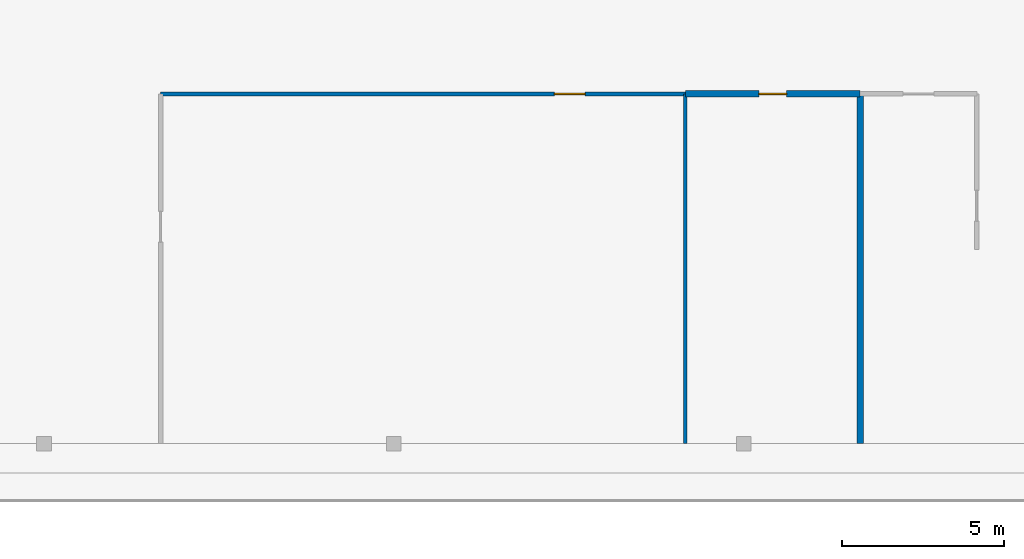
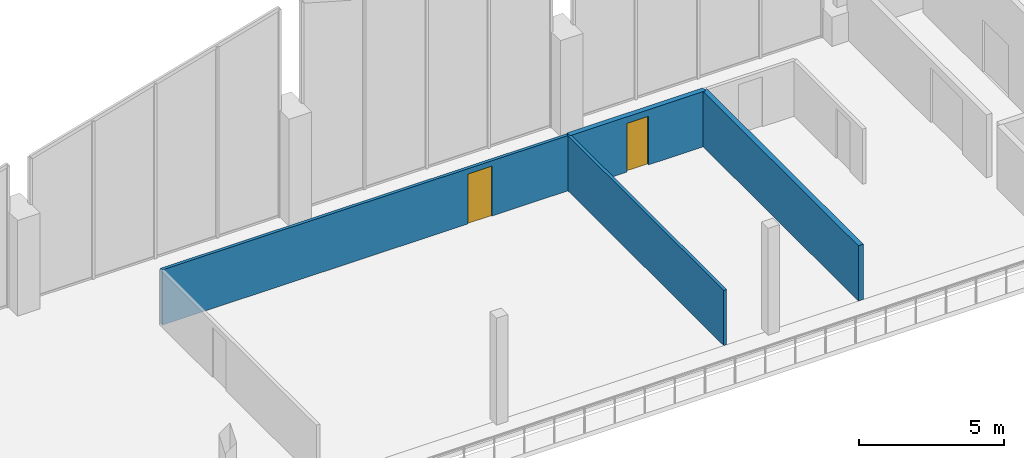
# One storey, part 69 of 89: 4 walls, 2 doors, 2 openings.
"""IFC4 building model written with IfcOpenShell, lengths in metres."""

from ifc_helpers import new_model, si_unit, direction, frame, frame_2d, origin, place, context, subcontext, project, spatial, rectangle, extrude, material, layer, layer_set, type_object, element, fill, save


model = new_model("IFC4")

# Units and contexts
model_context = context("Model", 3, precision=1e-05, world=origin(), true_north=direction((0.0, 1.0)))
body_context = subcontext(model_context, "Body", "Model", "MODEL_VIEW")
ifc_project = project(units=[si_unit("LENGTHUNIT", "METRE"), si_unit("AREAUNIT", "SQUARE_METRE"), si_unit("VOLUMEUNIT", "CUBIC_METRE"), si_unit("PLANEANGLEUNIT", "RADIAN"), si_unit("MASSUNIT", "GRAM", prefix="KILO")], contexts=[model_context])

# Site, building, storey
site_placement = place(None, origin())
site = spatial("IfcSite", under=ifc_project, at=site_placement, CompositionType="ELEMENT")
building_placement = place(site_placement, origin())
building = spatial("IfcBuilding", under=site, at=building_placement, Name="Suirenkawa Promenade Aquatics Centre", CompositionType="ELEMENT")
storey_placement = place(building_placement, frame((0.0, 0.0, 9.60009765625)))
storey = spatial("IfcBuildingStorey", under=building, at=storey_placement, Name="L02", CompositionType="ELEMENT", Elevation=9.60009765625)

# Wall, opening, door
ifc_material_1 = material(Name="Autoclaved aerated concrete blockwork Grade 1", Category="masonry")
ifc_layer_1 = layer(ifc_material_1, 0.199951171875, Name="Autoclaved aerated concrete blockwork Grade 1", Category="masonry")
ifc_layer_set_1 = layer_set([ifc_layer_1], Name="Autoclaved aerated concrete blockwork Grade 1")
wall_type_1 = type_object("IfcWallType", Name="WT-COMP-200", PredefinedType="PARTITIONING", material=ifc_layer_set_1)
wall_1_placement = place(storey_placement, frame((120.60009765625, 118.800048828125, 0.0), z_axis=(0.0, 0.0, 1.0), x_axis=(1.0, 0.0, 0.0)))
wall_1 = element("IfcWall", 1, at=wall_1_placement, inside=storey, type_object=wall_type_1, Name="Interior wall WL-PRT-01 W-7331", PredefinedType="PARTITIONING", context=body_context, shape_type="SweptSolid", body=[
    extrude(rectangle(XDim=5.39990234375, YDim=0.199951171875, at=frame_2d((2.699951171875, 0.0))), origin(), (0.0, 0.0, 1.0), 2.324951171875),
])
opening_1_placement = place(wall_1_placement, frame((2.27490234375, 0.0, 0.0)))
opening_1 = element("IfcOpeningElement", 2, at=opening_1_placement, cuts=wall_1, Name="Opening ID-13", PredefinedType="OPENING", context=body_context, shape_type="SweptSolid", body=[
    extrude(rectangle(XDim=0.85009765625, YDim=2.050048828125, at=frame_2d((0.425048828125, 1.02490234375))), frame((0.0, 0.10986328125, 0.0), z_axis=(0.0, -1.0, 0.0), x_axis=(1.0, 0.0, 0.0)), (0.0, 0.0, 1.0), 0.219970703125),
])
ifc_material_2 = material(Name="Steel IS 2062 E350 (Grade 350)", Category="steel")
door_type_1 = type_object("IfcDoorType", Name="DT-RISER-850x2050", OperationType="NOTDEFINED", PredefinedType="DOOR", material=ifc_material_2)
door_1_placement = place(opening_1_placement, origin())
door_1 = element("IfcDoor", 3, at=door_1_placement, inside=storey, type_object=door_type_1, Name="Interior door ID-13 DR-INT-0194", OperationType="SINGLE_SWING_RIGHT", OverallHeight=2.050048828125, OverallWidth=0.85009765625, PredefinedType="DOOR", context=body_context, shape_type="SweptSolid", body=[
    extrude(rectangle(XDim=0.85009765625, YDim=2.050048828125, at=frame_2d((0.425048828125, 1.02490234375))), frame((0.0, 0.02490234375, 0.0), z_axis=(0.0, -1.0, 0.0), x_axis=(1.0, 0.0, 0.0)), (0.0, 0.0, 1.0), 0.050048828125),
])
fill(opening_1, door_1)

# Wall
wall_2_placement = place(storey_placement, frame((126.0, 108.0, 0.0), z_axis=(0.0, 0.0, 1.0), x_axis=(0.0, 1.0, 0.0)))
element("IfcWall", 4, at=wall_2_placement, inside=storey, type_object=wall_type_1, Name="Interior wall WL-PRT-01 W-7332", PredefinedType="PARTITIONING", context=body_context, shape_type="SweptSolid", body=[
    extrude(rectangle(XDim=10.800048828125, YDim=0.199951171875, at=frame_2d((5.39990234375, 0.0))), origin(), (0.0, 0.0, 1.0), 2.324951171875),
])

# Wall, opening, door
ifc_material_3 = material(Name="Moisture-resistant acoustic gypsum board")
ifc_layer_2 = layer(ifc_material_3, 0.1201171875, Name="Moisture-resistant acoustic gypsum board")
ifc_layer_set_2 = layer_set([ifc_layer_2], Name="Moisture-resistant acoustic gypsum board")
wall_type_2 = type_object("IfcWallType", Name="WT-LIGHT-120", PredefinedType="PARTITIONING", material=ifc_layer_set_2)
wall_3_placement = place(storey_placement, frame((104.39990234375, 118.800048828125, 0.0), z_axis=(0.0, 0.0, 1.0), x_axis=(1.0, 0.0, 0.0)))
wall_3 = element("IfcWall", 5, at=wall_3_placement, inside=storey, type_object=wall_type_2, Name="Interior wall WL-PRT-05 W-7329", PredefinedType="PARTITIONING", context=body_context, shape_type="SweptSolid", body=[
    extrude(rectangle(XDim=16.2001953125, YDim=0.1201171875, at=frame_2d((8.10009765625, 0.0))), origin(), (0.0, 0.0, 1.0), 2.324951171875),
])
opening_2_placement = place(wall_3_placement, frame((12.160888671875, 0.0, 0.0)))
opening_2 = element("IfcOpeningElement", 6, at=opening_2_placement, cuts=wall_3, Name="Opening ID-11", PredefinedType="OPENING", context=body_context, shape_type="SweptSolid", body=[
    extrude(rectangle(XDim=0.949951171875, YDim=2.10009765625, at=frame_2d((0.47509765625, 1.050048828125))), frame((0.0, 0.070068359375, 0.0), z_axis=(0.0, -1.0, 0.0), x_axis=(1.0, 0.0, 0.0)), (0.0, 0.0, 1.0), 0.14013671875),
])
ifc_material_4 = material(Name="Engineered maple acoustic sports timber", Category="wood")
door_type_2 = type_object("IfcDoorType", Name="DT-STD-950x2100", OperationType="NOTDEFINED", PredefinedType="DOOR", material=ifc_material_4)
door_2_placement = place(opening_2_placement, origin())
door_2 = element("IfcDoor", 7, at=door_2_placement, inside=storey, type_object=door_type_2, Name="Interior door ID-11 DR-INT-0193", OperationType="SINGLE_SWING_LEFT", OverallHeight=2.10009765625, OverallWidth=0.949951171875, PredefinedType="DOOR", context=body_context, shape_type="SweptSolid", body=[
    extrude(rectangle(XDim=0.949951171875, YDim=2.10009765625, at=frame_2d((0.47509765625, 1.050048828125))), frame((0.0, 0.02490234375, 0.0), z_axis=(0.0, -1.0, 0.0), x_axis=(1.0, 0.0, 0.0)), (0.0, 0.0, 1.0), 0.050048828125),
])
fill(opening_2, door_2)

# Wall
wall_4_placement = place(storey_placement, frame((120.60009765625, 108.0, 0.0), z_axis=(0.0, 0.0, 1.0), x_axis=(0.0, 1.0, 0.0)))
element("IfcWall", 8, at=wall_4_placement, inside=storey, type_object=wall_type_2, Name="Interior wall WL-PRT-05 W-7330", PredefinedType="PARTITIONING", context=body_context, shape_type="SweptSolid", body=[
    extrude(rectangle(XDim=10.800048828125, YDim=0.1201171875, at=frame_2d((5.39990234375, 0.0))), origin(), (0.0, 0.0, 1.0), 2.324951171875),
])

save(model, "model.ifc")
